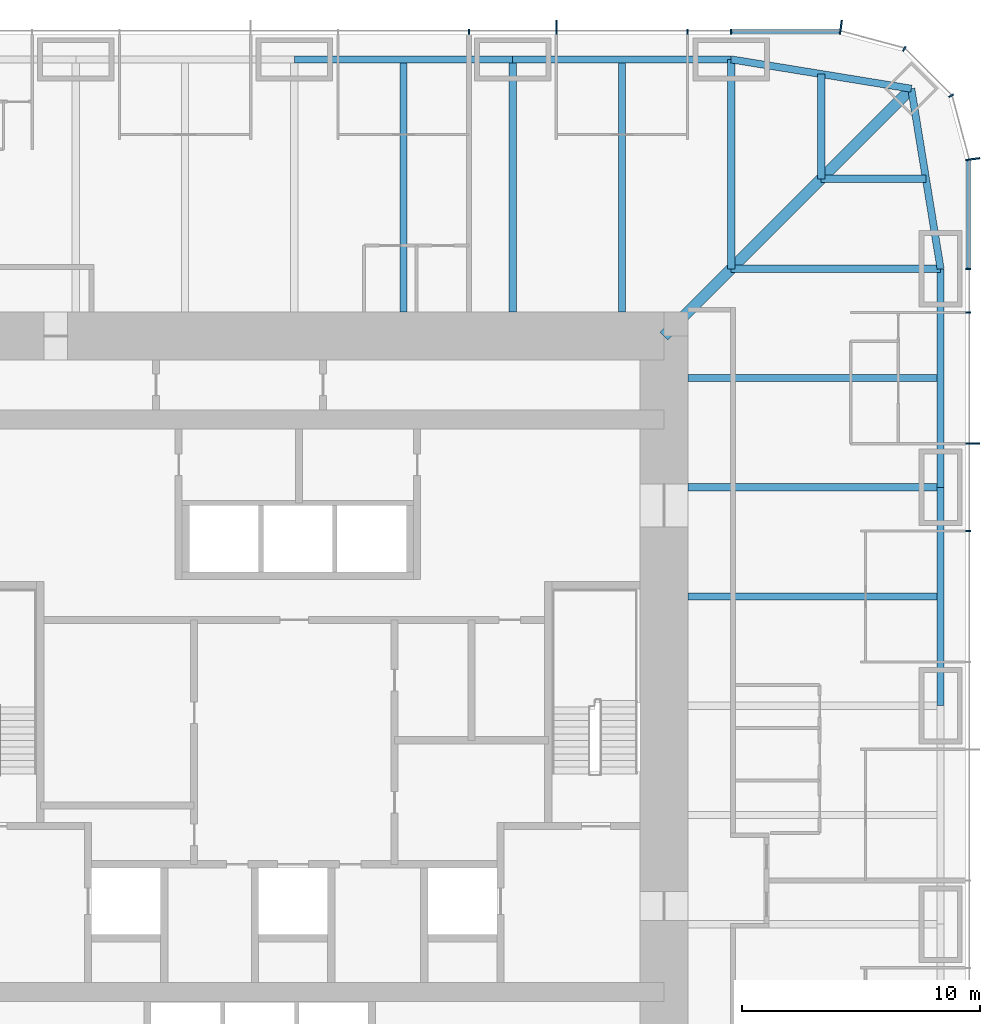
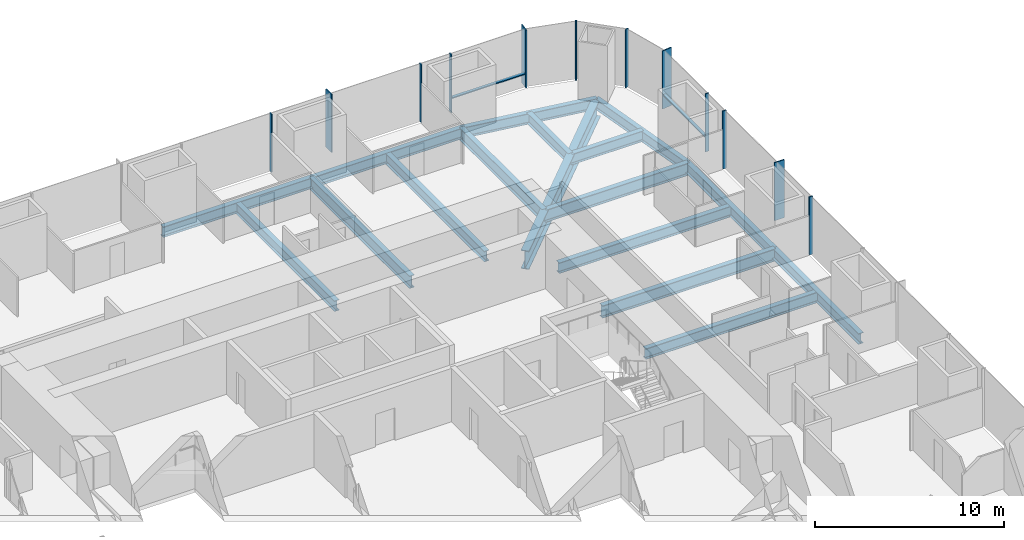
# One storey, part 5 of 12: 17 beams, 14 members, 3 elements without a shape of their own.
"""IFC4 building model written with IfcOpenShell, lengths in metres."""

from ifc_helpers import new_model, si_unit, direction, frame, origin, origin_2d, place, context, subcontext, project, spatial, rectangle, i_section, extrude, material, material_profile, profile_set, type_object, element, aggregate, save


model = new_model("IFC4")

# Units and contexts
model_context = context("Model", 3, precision=1e-05, world=origin(), true_north=direction((0.0, 1.0)))
body_context = subcontext(model_context, "Body", "Model", "MODEL_VIEW")
ifc_project = project(units=[si_unit("LENGTHUNIT", "METRE"), si_unit("AREAUNIT", "SQUARE_METRE"), si_unit("VOLUMEUNIT", "CUBIC_METRE"), si_unit("PLANEANGLEUNIT", "RADIAN"), si_unit("MASSUNIT", "GRAM", prefix="KILO")], contexts=[model_context])

# Site, building, storey
site_placement = place(None, origin())
site = spatial("IfcSite", under=ifc_project, at=site_placement, CompositionType="ELEMENT")
building_placement = place(site_placement, origin())
building = spatial("IfcBuilding", under=site, at=building_placement, Name="Khuree Lantern Residences", CompositionType="ELEMENT")
storey_placement = place(building_placement, frame((0.0, 0.0, 182.25)))
storey = spatial("IfcBuildingStorey", under=building, at=storey_placement, Name="L46", CompositionType="ELEMENT", Elevation=182.25)

# Beams
ifc_material_1 = material(Name="Steel S355", Category="steel")
ifc_material_profile_1 = material_profile(ifc_material_1, i_section(OverallWidth=0.300048828125, OverallDepth=0.68994140625, WebThickness=0.014404296875, FlangeThickness=0.027099609375, FilletRadius=0.027099609375, at=origin_2d()), Name="HE 700 A")
ifc_profile_set_1 = profile_set([ifc_material_profile_1], Name="Steel S355")
beam_type_1 = type_object("IfcBeamType", Name="B-25A SECONDARY BEAM HE 700 A", PredefinedType="BEAM", material=ifc_profile_set_1)
for number, where, z_axis, x_axis, name in (
    (1, (4.580078125, 27.10009765625, -0.594970703125), (0.0, -1.0, 0.0), (1.0, 0.0, 0.0), "Secondary beam N3"),
    (2, (13.739990234375, 27.10009765625, -0.594970703125), (0.0, -1.0, 0.0), (1.0, 0.0, 0.0), "Secondary beam N4"),
):
    element("IfcBeam", number, at=place(storey_placement, frame(where, z_axis=z_axis, x_axis=x_axis)), inside=storey, type_object=beam_type_1, Name=name, PredefinedType="BEAM", context=body_context, shape_type="SweptSolid", body=[
        extrude(i_section(OverallWidth=0.300048828125, OverallDepth=0.68994140625, WebThickness=0.014404296875, FlangeThickness=0.027099609375, FilletRadius=0.027099609375, at=origin_2d()), origin(), (0.0, 0.0, 1.0), 10.60009765625),
    ])
for number, where, z_axis, x_axis, name in (
    (3, (22.094970703125, 26.48486328125, -0.594970703125), (0.0, -1.0, 0.0), (1.0, 0.0, 0.0), "Secondary beam N5"),
    (4, (26.48486328125, 22.094970703125, -0.594970703125), (-1.0, 0.0, 0.0), (0.0, -1.0, 0.0), "Secondary beam E1"),
):
    element("IfcBeam", number, at=place(storey_placement, frame(where, z_axis=z_axis, x_axis=x_axis)), inside=storey, type_object=beam_type_1, Name=name, PredefinedType="BEAM", context=body_context, shape_type="SweptSolid", body=[
        extrude(i_section(OverallWidth=0.300048828125, OverallDepth=0.68994140625, WebThickness=0.014404296875, FlangeThickness=0.027099609375, FilletRadius=0.027099609375, at=origin_2d()), origin(), (0.0, 0.0, 1.0), 4.389892578125),
    ])
for number, where, z_axis, x_axis, name in (
    (5, (27.10009765625, 13.739990234375, -0.594970703125), (-1.0, 0.0, 0.0), (0.0, -1.0, 0.0), "Secondary beam E2"),
    (6, (27.10009765625, 4.580078125, -0.594970703125), (-1.0, 0.0, 0.0), (0.0, -1.0, 0.0), "Secondary beam E3"),
):
    element("IfcBeam", number, at=place(storey_placement, frame(where, z_axis=z_axis, x_axis=x_axis)), inside=storey, type_object=beam_type_1, Name=name, PredefinedType="BEAM", context=body_context, shape_type="SweptSolid", body=[
        extrude(i_section(OverallWidth=0.300048828125, OverallDepth=0.68994140625, WebThickness=0.014404296875, FlangeThickness=0.027099609375, FilletRadius=0.027099609375, at=origin_2d()), origin(), (0.0, 0.0, 1.0), 10.60009765625),
    ])
ifc_material_profile_2 = material_profile(ifc_material_1, i_section(OverallWidth=0.300048828125, OverallDepth=0.68994140625, WebThickness=0.014404296875, FlangeThickness=0.027099609375, FilletRadius=0.027099609375, at=origin_2d()), Name="HE 700 A")
ifc_profile_set_2 = profile_set([ifc_material_profile_2], Name="Steel S355")
beam_type_2 = type_object("IfcBeamType", Name="E-25 SPANDREL BEAM HE 700 A", PredefinedType="SPANDREL", material=ifc_profile_set_2)
beam_1_placement = place(storey_placement, frame((0.0, 27.10009765625, -0.594970703125), z_axis=(1.0, 0.0, 0.0), x_axis=(0.0, 1.0, 0.0)))
element("IfcBeam", 7, at=beam_1_placement, inside=storey, type_object=beam_type_2, Name="Spandrel beam N3", PredefinedType="SPANDREL", context=body_context, shape_type="SweptSolid", body=[
    extrude(i_section(OverallWidth=0.300048828125, OverallDepth=0.68994140625, WebThickness=0.014404296875, FlangeThickness=0.027099609375, FilletRadius=0.027099609375, at=origin_2d()), origin(), (0.0, 0.0, 1.0), 9.159912109375),
])
beam_2_placement = place(storey_placement, frame((9.159912109375, 27.10009765625, -0.594970703125), z_axis=(1.0, 0.0, 0.0), x_axis=(0.0, 1.0, 0.0)))
element("IfcBeam", 8, at=beam_2_placement, inside=storey, type_object=beam_type_2, Name="Spandrel beam N4", PredefinedType="SPANDREL", context=body_context, shape_type="SweptSolid", body=[
    extrude(i_section(OverallWidth=0.300048828125, OverallDepth=0.68994140625, WebThickness=0.014404296875, FlangeThickness=0.027099609375, FilletRadius=0.027099609375, at=origin_2d()), origin(), (0.0, 0.0, 1.0), 9.16015625),
])
for number, where, z_axis, x_axis, name in (
    (9, (18.320068359375, 27.10009765625, -0.594970703125), (0.986982656839, -0.160826723833, 0.0), (0.160826723833, 0.986982656839, 0.0), "Spandrel beam N5"),
    (10, (25.869873046875, 25.869873046875, -0.594970703125), (0.160826723833, -0.986982656839, 0.0), (0.986982656839, 0.160826723833, 0.0), "Spandrel beam E1"),
):
    element("IfcBeam", number, at=place(storey_placement, frame(where, z_axis=z_axis, x_axis=x_axis)), inside=storey, type_object=beam_type_2, Name=name, PredefinedType="SPANDREL", context=body_context, shape_type="SweptSolid", body=[
        extrude(i_section(OverallWidth=0.300048828125, OverallDepth=0.68994140625, WebThickness=0.014404296875, FlangeThickness=0.027099609375, FilletRadius=0.027099609375, at=origin_2d()), origin(), (0.0, 0.0, 1.0), 7.6494140625),
    ])
beam_3_placement = place(storey_placement, frame((27.10009765625, 18.320068359375, -0.594970703125), z_axis=(0.0, -1.0, 0.0), x_axis=(1.0, 0.0, 0.0)))
element("IfcBeam", 11, at=beam_3_placement, inside=storey, type_object=beam_type_2, Name="Spandrel beam E2", PredefinedType="SPANDREL", context=body_context, shape_type="SweptSolid", body=[
    extrude(i_section(OverallWidth=0.300048828125, OverallDepth=0.68994140625, WebThickness=0.014404296875, FlangeThickness=0.027099609375, FilletRadius=0.027099609375, at=origin_2d()), origin(), (0.0, 0.0, 1.0), 9.16015625),
])
beam_4_placement = place(storey_placement, frame((27.10009765625, 9.159912109375, -0.594970703125), z_axis=(0.0, -1.0, 0.0), x_axis=(1.0, 0.0, 0.0)))
element("IfcBeam", 12, at=beam_4_placement, inside=storey, type_object=beam_type_2, Name="Spandrel beam E3", PredefinedType="SPANDREL", context=body_context, shape_type="SweptSolid", body=[
    extrude(i_section(OverallWidth=0.300048828125, OverallDepth=0.68994140625, WebThickness=0.014404296875, FlangeThickness=0.027099609375, FilletRadius=0.027099609375, at=origin_2d()), origin(), (0.0, 0.0, 1.0), 9.159912109375),
])

# Curtain wall, member
ifc_material_2 = material(Name="Bronze anodised aluminium", Category="aluminium")
curtain_wall_type_1 = type_object("IfcCurtainWallType", Name="CW-T1 TOWER FACE CURTAIN WALL", PredefinedType="USERDEFINED", material=ifc_material_2)
curtain_wall_1_placement = place(storey_placement, origin())
curtain_wall_1 = element("IfcCurtainWall", 13, at=curtain_wall_1_placement, inside=storey, type_object=curtain_wall_type_1, Name="L46 EAST FACE CURTAIN WALL", ObjectType="Stick-built curtain wall", PredefinedType="USERDEFINED")
ifc_material_profile_3 = material_profile(ifc_material_2, rectangle(XDim=0.06494140625, YDim=0.60009765625, at=origin_2d()), Name="F1 65X600")
ifc_profile_set_3 = profile_set([ifc_material_profile_3], Name="Bronze anodised aluminium")
member_type_1 = type_object("IfcMemberType", Name="F1 BRONZE FIN MULLION TOWER 65X600", PredefinedType="MULLION", material=ifc_profile_set_3)
member_1_placement = place(storey_placement, frame((28.449951171875, 10.991943359375, 0.0), z_axis=(0.0, 0.0, 1.0), x_axis=(0.0, 1.0, 0.0)))
member_1 = element("IfcMember", 14, at=member_1_placement, type_object=member_type_1, Name="L46 EAST FACE FIN MULLION 12", PredefinedType="MULLION", context=body_context, shape_type="SweptSolid", body=[
    extrude(rectangle(XDim=0.06494140625, YDim=0.60009765625, at=origin_2d()), origin(), (0.0, 0.0, 1.0), 3.75),
])

curtain_wall_type_2 = type_object("IfcCurtainWallType", Name="CW-T2 TOWER CORNER CURTAIN WALL", PredefinedType="USERDEFINED", material=ifc_material_2)
curtain_wall_2_placement = place(storey_placement, origin())
curtain_wall_2 = element("IfcCurtainWall", 15, at=curtain_wall_2_placement, inside=storey, type_object=curtain_wall_type_2, Name="L46 NORTH-EAST CORNER CURTAIN WALL", ObjectType="Faceted corner curtain wall", PredefinedType="USERDEFINED")
member_2_placement = place(storey_placement, frame((28.4501953125, 22.919677734375, 0.0), z_axis=(0.0, 0.0, 1.0), x_axis=(-0.130526223125, 0.991444857305, 0.0)))
member_2 = element("IfcMember", 16, at=member_2_placement, type_object=member_type_1, Name="L46 NORTH-EAST CORNER FIN MULLION 15", PredefinedType="MULLION", context=body_context, shape_type="SweptSolid", body=[
    extrude(rectangle(XDim=0.06494140625, YDim=0.60009765625, at=origin_2d()), origin(), (0.0, 0.0, 1.0), 3.75),
])

# Curtain wall, members
curtain_wall_3_placement = place(storey_placement, origin())
curtain_wall_3 = element("IfcCurtainWall", 17, at=curtain_wall_3_placement, inside=storey, type_object=curtain_wall_type_1, Name="L46 NORTH FACE CURTAIN WALL", ObjectType="Stick-built curtain wall", PredefinedType="USERDEFINED")
member_3_placement = place(storey_placement, frame((22.919677734375, 28.4501953125, 0.0), z_axis=(0.0, 0.0, 1.0), x_axis=(-0.991444857305, 0.130526223125, 0.0)))
member_3 = element("IfcMember", 18, at=member_3_placement, type_object=member_type_1, Name="L46 NORTH FACE FIN MULLION 18", PredefinedType="MULLION", context=body_context, shape_type="SweptSolid", body=[
    extrude(rectangle(XDim=0.06494140625, YDim=0.60009765625, at=origin_2d()), origin(), (0.0, 0.0, 1.0), 3.75),
])
member_4_placement = place(storey_placement, frame((10.991943359375, 28.449951171875, 0.0), z_axis=(0.0, 0.0, 1.0), x_axis=(-1.0, 0.0, 0.0)))
member_4 = element("IfcMember", 19, at=member_4_placement, type_object=member_type_1, Name="L46 NORTH FACE FIN MULLION 21", PredefinedType="MULLION", context=body_context, shape_type="SweptSolid", body=[
    extrude(rectangle(XDim=0.06494140625, YDim=0.60009765625, at=origin_2d()), origin(), (0.0, 0.0, 1.0), 3.75),
])

# Beams
ifc_material_profile_4 = material_profile(ifc_material_1, i_section(OverallWidth=0.300048828125, OverallDepth=0.800048828125, WebThickness=0.017578125, FlangeThickness=0.032958984375, FilletRadius=0.030029296875, at=origin_2d()), Name="HE 800 B")
ifc_profile_set_4 = profile_set([ifc_material_profile_4], Name="Steel S355")
beam_type_3 = type_object("IfcBeamType", Name="G-25A GIRDER HE 800 B", PredefinedType="BEAM", material=ifc_profile_set_4)
beam_5_placement = place(storey_placement, frame((9.159912109375, 27.10009765625, -0.64990234375), z_axis=(0.0, -1.0, 0.0), x_axis=(1.0, 0.0, 0.0)))
element("IfcBeam", 20, at=beam_5_placement, inside=storey, type_object=beam_type_3, Name="Girder N4", PredefinedType="BEAM", context=body_context, shape_type="SweptSolid", body=[
    extrude(i_section(OverallWidth=0.300048828125, OverallDepth=0.800048828125, WebThickness=0.017578125, FlangeThickness=0.032958984375, FilletRadius=0.030029296875, at=origin_2d()), origin(), (0.0, 0.0, 1.0), 10.60009765625),
])
for number, where, z_axis, x_axis, name in (
    (21, (18.320068359375, 27.10009765625, -0.64990234375), (0.0, -1.0, 0.0), (1.0, 0.0, 0.0), "Girder N5"),
    (22, (27.10009765625, 18.320068359375, -0.64990234375), (-1.0, 0.0, 0.0), (0.0, -1.0, 0.0), "Girder E1"),
):
    element("IfcBeam", number, at=place(storey_placement, frame(where, z_axis=z_axis, x_axis=x_axis)), inside=storey, type_object=beam_type_3, Name=name, PredefinedType="BEAM", context=body_context, shape_type="SweptSolid", body=[
        extrude(i_section(OverallWidth=0.300048828125, OverallDepth=0.800048828125, WebThickness=0.017578125, FlangeThickness=0.032958984375, FilletRadius=0.030029296875, at=origin_2d()), origin(), (0.0, 0.0, 1.0), 8.780029296875),
    ])
beam_6_placement = place(storey_placement, frame((27.10009765625, 9.159912109375, -0.64990234375), z_axis=(-1.0, 0.0, 0.0), x_axis=(0.0, -1.0, 0.0)))
element("IfcBeam", 23, at=beam_6_placement, inside=storey, type_object=beam_type_3, Name="Girder E2", PredefinedType="BEAM", context=body_context, shape_type="SweptSolid", body=[
    extrude(i_section(OverallWidth=0.300048828125, OverallDepth=0.800048828125, WebThickness=0.017578125, FlangeThickness=0.032958984375, FilletRadius=0.030029296875, at=origin_2d()), origin(), (0.0, 0.0, 1.0), 10.60009765625),
])
ifc_material_profile_5 = material_profile(ifc_material_1, i_section(OverallWidth=0.449951171875, OverallDepth=1.199951171875, WebThickness=0.02490234375, FlangeThickness=0.044921875, at=origin_2d()), Name="WELDED I 1200X450X25X45")
ifc_profile_set_5 = profile_set([ifc_material_profile_5], Name="Steel S355")
beam_type_4 = type_object("IfcBeamType", Name="GD-25 CORNER GIRDER WELDED I 1200X450X25X45", PredefinedType="BEAM", material=ifc_profile_set_5)
beam_7_placement = place(storey_placement, frame((25.869873046875, 25.869873046875, -0.85009765625), z_axis=(-0.707106781187, -0.707106781187, 0.0), x_axis=(0.707106781187, -0.707106781187, 0.0)))
element("IfcBeam", 24, at=beam_7_placement, inside=storey, type_object=beam_type_4, Name="Corner girder NE", PredefinedType="BEAM", context=body_context, shape_type="SweptSolid", body=[
    extrude(i_section(OverallWidth=0.449951171875, OverallDepth=1.199951171875, WebThickness=0.02490234375, FlangeThickness=0.044921875, at=origin_2d()), origin(), (0.0, 0.0, 1.0), 14.665283203125),
])

# Member
ifc_material_profile_6 = material_profile(ifc_material_2, rectangle(XDim=0.06494140625, YDim=0.219970703125, at=origin_2d()), Name="M1 65X220")
ifc_profile_set_6 = profile_set([ifc_material_profile_6], Name="Bronze anodised aluminium")
member_type_2 = type_object("IfcMemberType", Name="M1 BRONZE MULLION TOWER 65X220", PredefinedType="MULLION", material=ifc_profile_set_6)
member_5_placement = place(storey_placement, frame((28.260009765625, 7.327880859375, 0.0), z_axis=(0.0, 0.0, 1.0), x_axis=(0.0, 1.0, 0.0)))
member_5 = element("IfcMember", 25, at=member_5_placement, type_object=member_type_2, Name="L46 EAST FACE MULLION 11", PredefinedType="MULLION", context=body_context, shape_type="SweptSolid", body=[
    extrude(rectangle(XDim=0.06494140625, YDim=0.219970703125, at=origin_2d()), origin(), (0.0, 0.0, 1.0), 3.75),
])

member_6_placement = place(storey_placement, frame((28.260009765625, 16.488037109375, 0.0), z_axis=(0.0, 0.0, 1.0), x_axis=(0.0, 1.0, 0.0)))
member_6 = element("IfcMember", 26, at=member_6_placement, type_object=member_type_2, Name="L46 EAST FACE MULLION 13", PredefinedType="MULLION", context=body_context, shape_type="SweptSolid", body=[
    extrude(rectangle(XDim=0.06494140625, YDim=0.219970703125, at=origin_2d()), origin(), (0.0, 0.0, 1.0), 3.75),
])

member_7_placement = place(storey_placement, frame((28.260009765625, 18.320068359375, 0.0), z_axis=(0.0, 0.0, 1.0), x_axis=(0.0, 1.0, 0.0)))
member_7 = element("IfcMember", 27, at=member_7_placement, type_object=member_type_2, Name="L46 EAST FACE MULLION 14", PredefinedType="MULLION", context=body_context, shape_type="SweptSolid", body=[
    extrude(rectangle(XDim=0.06494140625, YDim=0.219970703125, at=origin_2d()), origin(), (0.0, 0.0, 1.0), 3.75),
])

member_8_placement = place(storey_placement, frame((27.5419921875, 25.580078125, 0.0), z_axis=(0.0, 0.0, 1.0), x_axis=(-0.500000026995, 0.866025388199, 0.0)))
member_8 = element("IfcMember", 28, at=member_8_placement, type_object=member_type_2, Name="L46 NORTH-EAST CORNER MULLION 16", PredefinedType="MULLION", context=body_context, shape_type="SweptSolid", body=[
    extrude(rectangle(XDim=0.06494140625, YDim=0.219970703125, at=origin_2d()), origin(), (0.0, 0.0, 1.0), 3.75),
])

member_9_placement = place(storey_placement, frame((25.580078125, 27.5419921875, 0.0), z_axis=(0.0, 0.0, 1.0), x_axis=(-0.866025388199, 0.500000026995, 0.0)))
member_9 = element("IfcMember", 29, at=member_9_placement, type_object=member_type_2, Name="L46 NORTH-EAST CORNER MULLION 17", PredefinedType="MULLION", context=body_context, shape_type="SweptSolid", body=[
    extrude(rectangle(XDim=0.06494140625, YDim=0.219970703125, at=origin_2d()), origin(), (0.0, 0.0, 1.0), 3.75),
])

aggregate(curtain_wall_2, [member_2, member_8, member_9])

member_10_placement = place(storey_placement, frame((18.320068359375, 28.260009765625, 0.0), z_axis=(0.0, 0.0, 1.0), x_axis=(-1.0, 0.0, 0.0)))
member_10 = element("IfcMember", 30, at=member_10_placement, type_object=member_type_2, Name="L46 NORTH FACE MULLION 19", PredefinedType="MULLION", context=body_context, shape_type="SweptSolid", body=[
    extrude(rectangle(XDim=0.06494140625, YDim=0.219970703125, at=origin_2d()), origin(), (0.0, 0.0, 1.0), 3.75),
])

member_11_placement = place(storey_placement, frame((16.488037109375, 28.260009765625, 0.0), z_axis=(0.0, 0.0, 1.0), x_axis=(-1.0, 0.0, 0.0)))
member_11 = element("IfcMember", 31, at=member_11_placement, type_object=member_type_2, Name="L46 NORTH FACE MULLION 20", PredefinedType="MULLION", context=body_context, shape_type="SweptSolid", body=[
    extrude(rectangle(XDim=0.06494140625, YDim=0.219970703125, at=origin_2d()), origin(), (0.0, 0.0, 1.0), 3.75),
])

member_12_placement = place(storey_placement, frame((7.327880859375, 28.260009765625, 0.0), z_axis=(0.0, 0.0, 1.0), x_axis=(-1.0, 0.0, 0.0)))
member_12 = element("IfcMember", 32, at=member_12_placement, type_object=member_type_2, Name="L46 NORTH FACE MULLION 22", PredefinedType="MULLION", context=body_context, shape_type="SweptSolid", body=[
    extrude(rectangle(XDim=0.06494140625, YDim=0.219970703125, at=origin_2d()), origin(), (0.0, 0.0, 1.0), 3.75),
])

ifc_material_profile_7 = material_profile(ifc_material_2, rectangle(XDim=0.179931640625, YDim=0.06494140625, at=origin_2d()), Name="T1 180X65")
ifc_profile_set_7 = profile_set([ifc_material_profile_7], Name="Bronze anodised aluminium")
member_type_3 = type_object("IfcMemberType", Name="TRANSOM T1 TOWER 180X65", PredefinedType="USERDEFINED", material=ifc_profile_set_7)
member_13_placement = place(storey_placement, frame((28.27001953125, 18.3525390625, 0.89990234375), z_axis=(0.0, 1.0, 0.0), x_axis=(-1.0, 0.0, 0.0)))
member_13 = element("IfcMember", 33, at=member_13_placement, type_object=member_type_3, Name="L46 EAST FACE TRANSOM 14.1", ObjectType="Transom", PredefinedType="USERDEFINED", context=body_context, shape_type="SweptSolid", body=[
    extrude(rectangle(XDim=0.179931640625, YDim=0.06494140625, at=origin_2d()), origin(), (0.0, 0.0, 1.0), 4.498779296875),
])

aggregate(curtain_wall_1, [member_5, member_1, member_6, member_7, member_13])

member_14_placement = place(storey_placement, frame((22.851318359375, 28.27001953125, 0.89990234375), z_axis=(-1.0, 0.0, 0.0), x_axis=(0.0, -1.0, 0.0)))
member_14 = element("IfcMember", 34, at=member_14_placement, type_object=member_type_3, Name="L46 NORTH FACE TRANSOM 18.1", ObjectType="Transom", PredefinedType="USERDEFINED", context=body_context, shape_type="SweptSolid", body=[
    extrude(rectangle(XDim=0.179931640625, YDim=0.06494140625, at=origin_2d()), origin(), (0.0, 0.0, 1.0), 4.498779296875),
])

aggregate(curtain_wall_3, [member_3, member_10, member_11, member_4, member_12, member_14])

save(model, "model.ifc")
